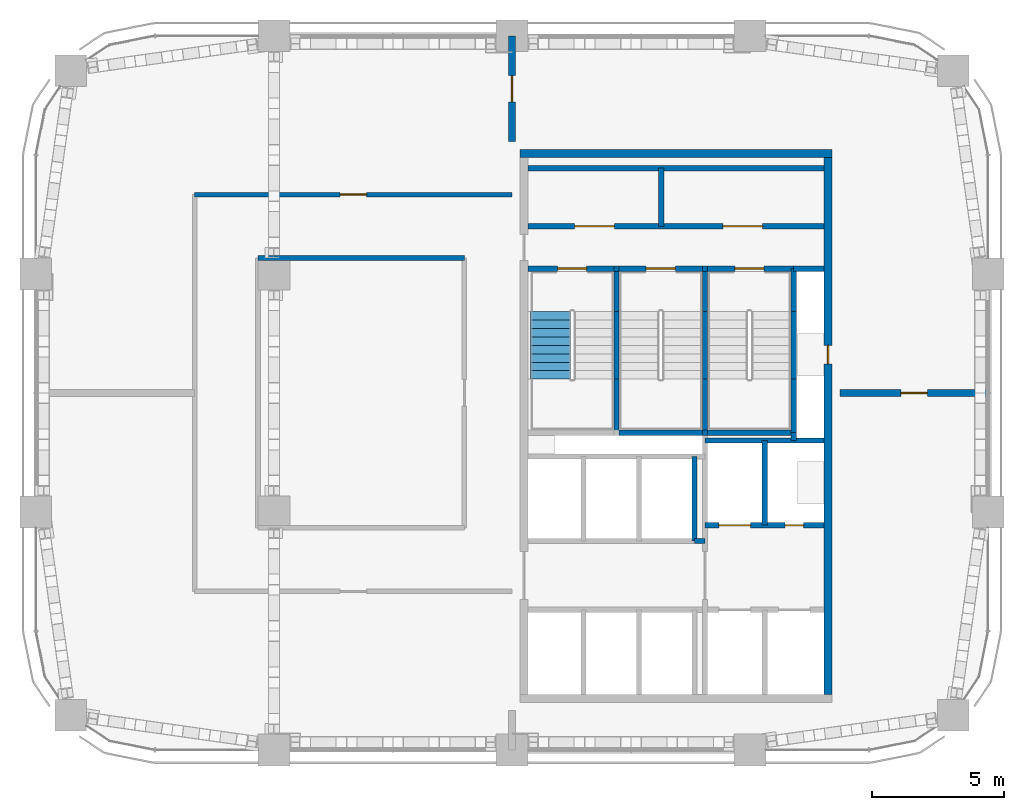
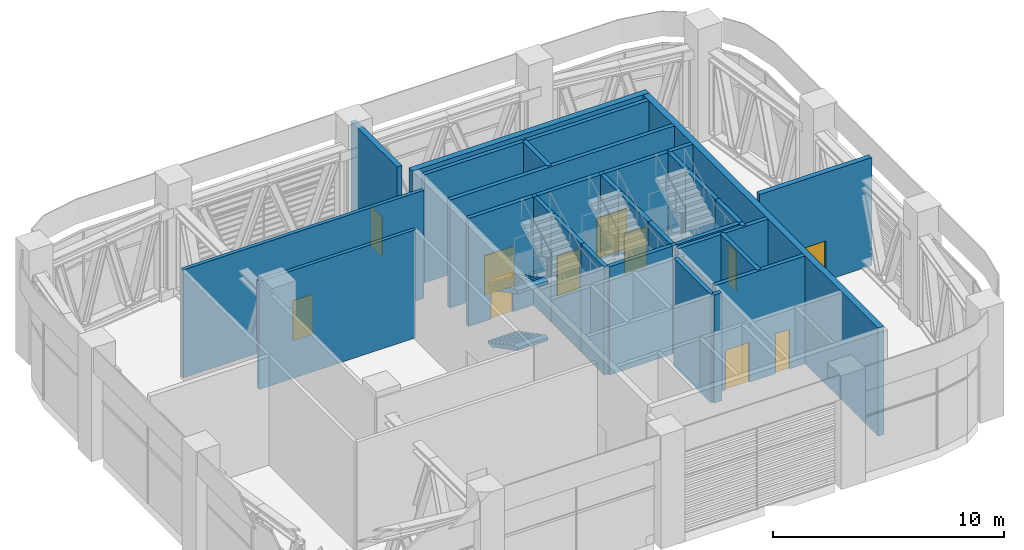
# One storey, part 10 of 14: 33 walls, 11 doors, 2 stair flights, 11 openings, 1 element without a shape of its own.
"""IFC4 building model written with IfcOpenShell, lengths in metres."""

from ifc_helpers import new_model, si_unit, direction, frame, frame_2d, origin, place, context, subcontext, project, spatial, polyline, rectangle, outline, extrude, material, layer, layer_set, type_object, element, fill, aggregate, save


model = new_model("IFC4")

# Units and contexts
model_context = context("Model", 3, precision=1e-05, world=origin(), true_north=direction((0.0, 1.0)))
body_context = subcontext(model_context, "Body", "Model", "MODEL_VIEW")
ifc_project = project(units=[si_unit("LENGTHUNIT", "METRE"), si_unit("AREAUNIT", "SQUARE_METRE"), si_unit("VOLUMEUNIT", "CUBIC_METRE"), si_unit("PLANEANGLEUNIT", "RADIAN"), si_unit("MASSUNIT", "GRAM", prefix="KILO")], contexts=[model_context])

# Site, building, storey
site_placement = place(None, origin())
site = spatial("IfcSite", under=ifc_project, at=site_placement, CompositionType="ELEMENT")
building_placement = place(site_placement, origin())
building = spatial("IfcBuilding", under=site, at=building_placement, Name="Tessera Arch", CompositionType="ELEMENT")
storey_placement = place(building_placement, frame((0.0, 0.0, 295.199951171875)))
storey = spatial("IfcBuildingStorey", under=building, at=storey_placement, Name="L71", CompositionType="ELEMENT", Elevation=295.199951171875)

# Walls
ifc_material_1 = material(Name="Gypsum board on steel stud", Category="steel")
ifc_layer_1 = layer(ifc_material_1, 0.125)
ifc_layer_set_1 = layer_set([ifc_layer_1], Name="Core partition 125 EI 60")
wall_type_1 = type_object("IfcWallType", Name="Core partition 125 EI 60", PredefinedType="PARTITIONING", material=ifc_layer_set_1)
wall_1_placement = place(storey_placement, frame((41.639892578125, 46.800048828125, 0.0), z_axis=(0.0, 0.0, 1.0), x_axis=(0.0, 1.0, 0.0)))
element("IfcWall", 1, at=wall_1_placement, inside=storey, type_object=wall_type_1, Name="L71 C1 partition wall 8", PredefinedType="PARTITIONING", context=body_context, shape_type="SweptSolid", body=[
    extrude(rectangle(XDim=2.199951171875, YDim=0.199951171875, at=frame_2d((1.10009765625, 0.0))), origin(), (0.0, 0.0, 1.0), 5.699951171875),
])
wall_2_placement = place(storey_placement, frame((42.89990234375, 34.89990234375, 0.0), z_axis=(0.0, 0.0, 1.0), x_axis=(1.0, 0.0, 0.0)))
element("IfcWall", 2, at=wall_2_placement, inside=storey, type_object=wall_type_1, Name="L71 C1 partition wall 22", PredefinedType="PARTITIONING", context=body_context, shape_type="SweptSolid", body=[
    extrude(rectangle(XDim=0.400146484375, YDim=0.199951171875, at=frame_2d((0.2001953125, 0.0))), origin(), (0.0, 0.0, 1.0), 5.699951171875),
])

# Wall, openings, doors
wall_3_placement = place(storey_placement, frame((36.60009765625, 46.800048828125, 0.0), z_axis=(0.0, 0.0, 1.0), x_axis=(1.0, 0.0, 0.0)))
wall_3 = element("IfcWall", 3, at=wall_3_placement, inside=storey, type_object=wall_type_1, Name="L71 C1 partition wall 38", PredefinedType="PARTITIONING", context=body_context, shape_type="SweptSolid", body=[
    extrude(rectangle(XDim=11.199951171875, YDim=0.199951171875, at=frame_2d((5.60009765625, 0.0))), origin(), (0.0, 0.0, 1.0), 5.699951171875),
])
opening_1_placement = place(wall_3_placement, frame((1.77001953125, 0.0, 0.0)))
opening_1 = element("IfcOpeningElement", 4, at=opening_1_placement, cuts=wall_3, Name="Opening L71-C12", PredefinedType="OPENING", context=body_context, shape_type="SweptSolid", body=[
    extrude(rectangle(XDim=1.5, YDim=2.10009765625, at=frame_2d((0.75, 1.050048828125))), frame((0.0, 0.10986328125, 0.0), z_axis=(0.0, -1.0, 0.0), x_axis=(1.0, 0.0, 0.0)), (0.0, 0.0, 1.0), 0.219970703125),
])
opening_2_placement = place(wall_3_placement, frame((7.3701171875, 0.0, 0.0)))
opening_2 = element("IfcOpeningElement", 5, at=opening_2_placement, cuts=wall_3, Name="Opening L71-C13", PredefinedType="OPENING", context=body_context, shape_type="SweptSolid", body=[
    extrude(rectangle(XDim=1.5, YDim=2.10009765625, at=frame_2d((0.75, 1.050048828125))), frame((0.0, 0.10986328125, 0.0), z_axis=(0.0, -1.0, 0.0), x_axis=(1.0, 0.0, 0.0)), (0.0, 0.0, 1.0), 0.219970703125),
])
ifc_material_2 = material(Name="Steel door leaf", Category="steel")
door_type_1 = type_object("IfcDoorType", Name="Plant door FD60 1500 x 2100", OperationType="DOUBLE_DOOR_SINGLE_SWING", PredefinedType="DOOR", material=ifc_material_2)
door_1_placement = place(opening_1_placement, origin())
door_1 = element("IfcDoor", 6, at=door_1_placement, inside=storey, type_object=door_type_1, Name="L71 C1 door 12 C12 type D08", OperationType="DOUBLE_DOOR_SINGLE_SWING", OverallHeight=2.10009765625, OverallWidth=1.5, PredefinedType="DOOR", context=body_context, shape_type="SweptSolid", body=[
    extrude(rectangle(XDim=1.5, YDim=2.10009765625, at=frame_2d((0.75, 1.050048828125))), frame((0.0, 0.02490234375, 0.0), z_axis=(0.0, -1.0, 0.0), x_axis=(1.0, 0.0, 0.0)), (0.0, 0.0, 1.0), 0.050048828125),
])
fill(opening_1, door_1)
door_2_placement = place(opening_2_placement, origin())
door_2 = element("IfcDoor", 7, at=door_2_placement, inside=storey, type_object=door_type_1, Name="L71 C1 door 13 C13 type D08", OperationType="DOUBLE_DOOR_SINGLE_SWING", OverallHeight=2.10009765625, OverallWidth=1.5, PredefinedType="DOOR", context=body_context, shape_type="SweptSolid", body=[
    extrude(rectangle(XDim=1.5, YDim=2.10009765625, at=frame_2d((0.75, 1.050048828125))), frame((0.0, 0.02490234375, 0.0), z_axis=(0.0, -1.0, 0.0), x_axis=(1.0, 0.0, 0.0)), (0.0, 0.0, 1.0), 0.050048828125),
])
fill(opening_2, door_2)

# Walls
wall_4_placement = place(storey_placement, frame((36.60009765625, 49.0, 0.0), z_axis=(0.0, 0.0, 1.0), x_axis=(1.0, 0.0, 0.0)))
element("IfcWall", 8, at=wall_4_placement, inside=storey, type_object=wall_type_1, Name="L71 C1 partition wall 39", PredefinedType="PARTITIONING", context=body_context, shape_type="SweptSolid", body=[
    extrude(rectangle(XDim=11.199951171875, YDim=0.199951171875, at=frame_2d((5.60009765625, 0.0))), origin(), (0.0, 0.0, 1.0), 5.699951171875),
])
ifc_material_3 = material(Name="Concrete C50/60", Category="concrete")
ifc_layer_2 = layer(ifc_material_3, 0.300048828125)
ifc_layer_set_2 = layer_set([ifc_layer_2], Name="Core shell wall 300 C50-60")
wall_type_2 = type_object("IfcWallType", Name="Core shell wall 300 C50-60", PredefinedType="SHEAR", material=ifc_layer_set_2)
wall_5_placement = place(storey_placement, frame((36.300048828125, 49.550048828125, 0.0), z_axis=(0.0, 0.0, 1.0), x_axis=(1.0, 0.0, 0.0)))
element("IfcWall", 9, at=wall_5_placement, inside=storey, type_object=wall_type_2, Name="L71 C1 core wall N", PredefinedType="SHEAR", context=body_context, shape_type="SweptSolid", body=[
    extrude(rectangle(XDim=11.800048828125, YDim=0.300048828125, at=frame_2d((5.89990234375, 0.0))), origin(), (0.0, 0.0, 1.0), 5.699951171875),
])

# Wall, opening, door
wall_6_placement = place(storey_placement, frame((47.949951171875, 29.10009765625, 0.0), z_axis=(0.0, 0.0, 1.0), x_axis=(0.0, 1.0, 0.0)))
wall_6 = element("IfcWall", 10, at=wall_6_placement, inside=storey, type_object=wall_type_2, Name="L71 C1 core wall E", PredefinedType="SHEAR", context=body_context, shape_type="SweptSolid", body=[
    extrude(rectangle(XDim=20.2998046875, YDim=0.300048828125, at=frame_2d((10.14990234375, 0.0))), origin(), (0.0, 0.0, 1.0), 5.699951171875),
])
opening_3_placement = place(wall_6_placement, frame((12.5, 0.0, 0.0)))
opening_3 = element("IfcOpeningElement", 11, at=opening_3_placement, cuts=wall_6, Name="Opening L71-C08", PredefinedType="OPENING", context=body_context, shape_type="SweptSolid", body=[
    extrude(rectangle(XDim=0.699951171875, YDim=2.10009765625, at=frame_2d((0.35009765625, 1.050048828125))), frame((0.0, 0.159912109375, 0.0), z_axis=(0.0, -1.0, 0.0), x_axis=(1.0, 0.0, 0.0)), (0.0, 0.0, 1.0), 0.320068359375),
])
ifc_material_4 = material(Name="Steel door leaf", Category="steel")
door_type_2 = type_object("IfcDoorType", Name="Service shaft door FD60 700 x 2100", OperationType="SINGLE_SWING_LEFT", PredefinedType="DOOR", material=ifc_material_4)
door_3_placement = place(opening_3_placement, origin())
door_3 = element("IfcDoor", 12, at=door_3_placement, inside=storey, type_object=door_type_2, Name="L71 C1 door 8 C08 type D07", OperationType="SINGLE_SWING_RIGHT", OverallHeight=2.10009765625, OverallWidth=0.699951171875, PredefinedType="DOOR", context=body_context, shape_type="SweptSolid", body=[
    extrude(rectangle(XDim=0.699951171875, YDim=2.10009765625, at=frame_2d((0.35009765625, 1.050048828125))), frame((0.0, 0.02490234375, 0.0), z_axis=(0.0, -1.0, 0.0), x_axis=(1.0, 0.0, 0.0)), (0.0, 0.0, 1.0), 0.050048828125),
])
fill(opening_3, door_3)

# Wall
ifc_material_5 = material(Name="Gypsum board on deep steel stud with mineral wool", Category="steel")
ifc_layer_3 = layer(ifc_material_5, 0.175048828125)
ifc_layer_set_3 = layer_set([ifc_layer_3], Name="Corridor wall 175 EI 60")
wall_type_3 = type_object("IfcWallType", Name="Corridor wall 175 EI 60", PredefinedType="PARTITIONING", material=ifc_layer_set_3)
wall_7_placement = place(storey_placement, frame((26.39990234375, 45.60009765625, 0.0), z_axis=(0.0, 0.0, 1.0), x_axis=(1.0, 0.0, 0.0)))
element("IfcWall", 13, at=wall_7_placement, inside=storey, type_object=wall_type_3, Name="L71 partition 3", PredefinedType="PARTITIONING", context=body_context, shape_type="SweptSolid", body=[
    extrude(rectangle(XDim=7.800048828125, YDim=0.175048828125, at=frame_2d((3.89990234375, 0.0))), origin(), (0.0, 0.0, 1.0), 5.699951171875),
])

# Wall, opening, door
wall_8_placement = place(storey_placement, frame((24.0, 48.0, 0.0), z_axis=(0.0, 0.0, 1.0), x_axis=(1.0, 0.0, 0.0)))
wall_8 = element("IfcWall", 14, at=wall_8_placement, inside=storey, type_object=wall_type_3, Name="L71 partition 4", PredefinedType="PARTITIONING", context=body_context, shape_type="SweptSolid", body=[
    extrude(rectangle(XDim=12.0, YDim=0.175048828125, at=frame_2d((6.0, 0.0))), origin(), (0.0, 0.0, 1.0), 5.699951171875),
])
opening_4_placement = place(wall_8_placement, frame((5.5, 0.0, 0.0)))
opening_4 = element("IfcOpeningElement", 15, at=opening_4_placement, cuts=wall_8, Name="Opening L71-D002", PredefinedType="OPENING", context=body_context, shape_type="SweptSolid", body=[
    extrude(rectangle(XDim=1.0, YDim=2.10009765625, at=frame_2d((0.5, 1.050048828125))), frame((0.0, 0.097412109375, 0.0), z_axis=(0.0, -1.0, 0.0), x_axis=(1.0, 0.0, 0.0)), (0.0, 0.0, 1.0), 0.195068359375),
])
ifc_material_6 = material(Name="Fire-rated door leaf")
door_type_3 = type_object("IfcDoorType", Name="Entrance door FD60 1000 x 2100", OperationType="SINGLE_SWING_LEFT", PredefinedType="DOOR", material=ifc_material_6)
door_4_placement = place(opening_4_placement, origin())
door_4 = element("IfcDoor", 16, at=door_4_placement, inside=storey, type_object=door_type_3, Name="L71 door D002 type D16", OperationType="SINGLE_SWING_RIGHT", OverallHeight=2.10009765625, OverallWidth=1.0, PredefinedType="DOOR", context=body_context, shape_type="SweptSolid", body=[
    extrude(rectangle(XDim=1.0, YDim=2.10009765625, at=frame_2d((0.5, 1.050048828125))), frame((0.0, 0.02490234375, 0.0), z_axis=(0.0, -1.0, 0.0), x_axis=(1.0, 0.0, 0.0)), (0.0, 0.0, 1.0), 0.050048828125),
])
fill(opening_4, door_4)

ifc_material_7 = material(Name="Double gypsum board on twin steel stud with acoustic mineral wool", Category="steel")
ifc_layer_4 = layer(ifc_material_7, 0.25)
ifc_layer_set_4 = layer_set([ifc_layer_4], Name="Party wall 250 EI 60")
wall_type_4 = type_object("IfcWallType", Name="Party wall 250 EI 60", PredefinedType="PARTITIONING", material=ifc_layer_set_4)
wall_9_placement = place(storey_placement, frame((48.39990234375, 40.5, 0.0), z_axis=(0.0, 0.0, 1.0), x_axis=(1.0, 0.0, 0.0)))
wall_9 = element("IfcWall", 17, at=wall_9_placement, inside=storey, type_object=wall_type_4, Name="L71 partition 9", PredefinedType="PARTITIONING", context=body_context, shape_type="SweptSolid", body=[
    extrude(rectangle(XDim=5.60009765625, YDim=0.25, at=frame_2d((2.800048828125, 0.0))), origin(), (0.0, 0.0, 1.0), 5.699951171875),
])
opening_5_placement = place(wall_9_placement, frame((2.300048828125, 0.0, 0.0)))
opening_5 = element("IfcOpeningElement", 18, at=opening_5_placement, cuts=wall_9, Name="Opening L71-D005", PredefinedType="OPENING", context=body_context, shape_type="SweptSolid", body=[
    extrude(rectangle(XDim=1.0, YDim=2.10009765625, at=frame_2d((0.5, 1.050048828125))), frame((0.0, 0.135009765625, 0.0), z_axis=(0.0, -1.0, 0.0), x_axis=(1.0, 0.0, 0.0)), (0.0, 0.0, 1.0), 0.27001953125),
])
door_5_placement = place(opening_5_placement, origin())
door_5 = element("IfcDoor", 19, at=door_5_placement, inside=storey, type_object=door_type_3, Name="L71 door D005 type D16", OperationType="SINGLE_SWING_LEFT", OverallHeight=2.10009765625, OverallWidth=1.0, PredefinedType="DOOR", context=body_context, shape_type="SweptSolid", body=[
    extrude(rectangle(XDim=1.0, YDim=2.10009765625, at=frame_2d((0.5, 1.050048828125))), frame((0.0, 0.02490234375, 0.0), z_axis=(0.0, -1.0, 0.0), x_axis=(1.0, 0.0, 0.0)), (0.0, 0.0, 1.0), 0.050048828125),
])
fill(opening_5, door_5)

wall_10_placement = place(storey_placement, frame((36.0, 50.0, 0.0), z_axis=(0.0, 0.0, 1.0), x_axis=(0.0, 1.0, 0.0)))
wall_10 = element("IfcWall", 20, at=wall_10_placement, inside=storey, type_object=wall_type_4, Name="L71 partition 11", PredefinedType="PARTITIONING", context=body_context, shape_type="SweptSolid", body=[
    extrude(rectangle(XDim=4.0, YDim=0.25, at=frame_2d((2.0, 0.0))), origin(), (0.0, 0.0, 1.0), 5.699951171875),
])
opening_6_placement = place(wall_10_placement, frame((1.5, 0.0, 0.0)))
opening_6 = element("IfcOpeningElement", 21, at=opening_6_placement, cuts=wall_10, Name="Opening L71-D004", PredefinedType="OPENING", context=body_context, shape_type="SweptSolid", body=[
    extrude(rectangle(XDim=1.0, YDim=2.10009765625, at=frame_2d((0.5, 1.050048828125))), frame((0.0, 0.135009765625, 0.0), z_axis=(0.0, -1.0, 0.0), x_axis=(1.0, 0.0, 0.0)), (0.0, 0.0, 1.0), 0.27001953125),
])
door_6_placement = place(opening_6_placement, origin())
door_6 = element("IfcDoor", 22, at=door_6_placement, inside=storey, type_object=door_type_3, Name="L71 door D004 type D16", OperationType="SINGLE_SWING_LEFT", OverallHeight=2.10009765625, OverallWidth=1.0, PredefinedType="DOOR", context=body_context, shape_type="SweptSolid", body=[
    extrude(rectangle(XDim=1.0, YDim=2.10009765625, at=frame_2d((0.5, 1.050048828125))), frame((0.0, 0.02490234375, 0.0), z_axis=(0.0, -1.0, 0.0), x_axis=(1.0, 0.0, 0.0)), (0.0, 0.0, 1.0), 0.050048828125),
])
fill(opening_6, door_6)

# Walls
ifc_material_8 = material(Name="Concrete C40/50", Category="concrete")
ifc_layer_5 = layer(ifc_material_8, 0.199951171875)
ifc_layer_set_5 = layer_set([ifc_layer_5], Name="Shaft wall 200 EI 120")
wall_type_5 = type_object("IfcWallType", Name="Shaft wall 200 EI 120", PredefinedType="SOLIDWALL", material=ifc_layer_set_5)
wall_11_placement = place(storey_placement, frame((42.89990234375, 34.89990234375, 0.0), z_axis=(0.0, 0.0, 1.0), x_axis=(0.0, 1.0, 0.0)))
element("IfcWall", 23, at=wall_11_placement, inside=storey, type_object=wall_type_5, Name="L71 C1 shaft wall 10", PredefinedType="SOLIDWALL", context=body_context, shape_type="SweptSolid", body=[
    extrude(rectangle(XDim=3.2001953125, YDim=0.199951171875, at=frame_2d((1.60009765625, 0.0))), origin(), (0.0, 0.0, 1.0), 5.699951171875),
])
wall_12_placement = place(storey_placement, frame((45.550048828125, 35.5, 0.0), z_axis=(0.0, 0.0, 1.0), x_axis=(0.0, 1.0, 0.0)))
element("IfcWall", 24, at=wall_12_placement, inside=storey, type_object=wall_type_5, Name="L71 C1 shaft wall 16", PredefinedType="SOLIDWALL", context=body_context, shape_type="SweptSolid", body=[
    extrude(rectangle(XDim=3.199951171875, YDim=0.199951171875, at=frame_2d((1.60009765625, 0.0))), origin(), (0.0, 0.0, 1.0), 5.699951171875),
])
wall_13_placement = place(storey_placement, frame((46.64990234375, 38.699951171875, 0.0), z_axis=(0.0, 0.0, 1.0), x_axis=(0.0, 1.0, 0.0)))
element("IfcWall", 25, at=wall_13_placement, inside=storey, type_object=wall_type_5, Name="L71 C1 shaft wall 17", PredefinedType="SOLIDWALL", context=body_context, shape_type="SweptSolid", body=[
    extrude(rectangle(XDim=0.300048828125, YDim=0.199951171875, at=frame_2d((0.14990234375, 0.0))), origin(), (0.0, 0.0, 1.0), 5.699951171875),
])

# Wall, openings, doors
wall_14_placement = place(storey_placement, frame((43.300048828125, 35.5, 0.0), z_axis=(0.0, 0.0, 1.0), x_axis=(1.0, 0.0, 0.0)))
wall_14 = element("IfcWall", 26, at=wall_14_placement, inside=storey, type_object=wall_type_5, Name="L71 C1 shaft wall 24", PredefinedType="SOLIDWALL", context=body_context, shape_type="SweptSolid", body=[
    extrude(rectangle(XDim=4.5, YDim=0.199951171875, at=frame_2d((2.25, 0.0))), origin(), (0.0, 0.0, 1.0), 5.699951171875),
])
opening_7_placement = place(wall_14_placement, frame((0.52490234375, 0.0, 0.0)))
opening_7 = element("IfcOpeningElement", 27, at=opening_7_placement, cuts=wall_14, Name="Opening L71-C03", PredefinedType="OPENING", context=body_context, shape_type="SweptSolid", body=[
    extrude(rectangle(XDim=1.199951171875, YDim=2.10009765625, at=frame_2d((0.60009765625, 1.050048828125))), frame((0.0, 0.10986328125, 0.0), z_axis=(0.0, -1.0, 0.0), x_axis=(1.0, 0.0, 0.0)), (0.0, 0.0, 1.0), 0.219970703125),
])
opening_8_placement = place(wall_14_placement, frame((3.02490234375, 0.0, 0.0)))
opening_8 = element("IfcOpeningElement", 28, at=opening_8_placement, cuts=wall_14, Name="Opening L71-C10", PredefinedType="OPENING", context=body_context, shape_type="SweptSolid", body=[
    extrude(rectangle(XDim=0.699951171875, YDim=2.10009765625, at=frame_2d((0.35009765625, 1.050048828125))), frame((0.0, 0.10986328125, 0.0), z_axis=(0.0, -1.0, 0.0), x_axis=(1.0, 0.0, 0.0)), (0.0, 0.0, 1.0), 0.219970703125),
])
door_7_placement = place(opening_8_placement, origin())
door_7 = element("IfcDoor", 29, at=door_7_placement, inside=storey, type_object=door_type_2, Name="L71 C1 door 10 C10 type D07", OperationType="SINGLE_SWING_RIGHT", OverallHeight=2.10009765625, OverallWidth=0.699951171875, PredefinedType="DOOR", context=body_context, shape_type="SweptSolid", body=[
    extrude(rectangle(XDim=0.699951171875, YDim=2.10009765625, at=frame_2d((0.35009765625, 1.050048828125))), frame((0.0, 0.02490234375, 0.0), z_axis=(0.0, -1.0, 0.0), x_axis=(1.0, 0.0, 0.0)), (0.0, 0.0, 1.0), 0.050048828125),
])
fill(opening_8, door_7)
ifc_material_9 = material(Name="Stainless steel AISI 304", Category="steel")
door_type_4 = type_object("IfcDoorType", Name="Sliding landing door 1200 x 2100", OperationType="SLIDING_TO_LEFT", PredefinedType="DOOR", material=ifc_material_9)
door_8_placement = place(opening_7_placement, origin())
door_8 = element("IfcDoor", 30, at=door_8_placement, inside=storey, type_object=door_type_4, Name="L71 SV2 lift landing door C03 type LD", OperationType="SLIDING_TO_LEFT", OverallHeight=2.10009765625, OverallWidth=1.199951171875, PredefinedType="DOOR", context=body_context, shape_type="SweptSolid", body=[
    extrude(rectangle(XDim=1.199951171875, YDim=2.10009765625, at=frame_2d((0.60009765625, 1.050048828125))), frame((0.0, 0.02490234375, 0.0), z_axis=(0.0, -1.0, 0.0), x_axis=(1.0, 0.0, 0.0)), (0.0, 0.0, 1.0), 0.050048828125),
])
fill(opening_7, door_8)

# Walls
wall_15_placement = place(storey_placement, frame((43.300048828125, 38.699951171875, 0.0), z_axis=(0.0, 0.0, 1.0), x_axis=(1.0, 0.0, 0.0)))
element("IfcWall", 31, at=wall_15_placement, inside=storey, type_object=wall_type_5, Name="L71 C1 shaft wall 26", PredefinedType="SOLIDWALL", context=body_context, shape_type="SweptSolid", body=[
    extrude(rectangle(XDim=4.5, YDim=0.199951171875, at=frame_2d((2.25, 0.0))), origin(), (0.0, 0.0, 1.0), 5.699951171875),
])
wall_16_placement = place(storey_placement, frame((46.64990234375, 45.199951171875, 0.0), z_axis=(0.0, 0.0, 1.0), x_axis=(1.0, 0.0, 0.0)))
element("IfcWall", 32, at=wall_16_placement, inside=storey, type_object=wall_type_5, Name="L71 C1 shaft wall 32", PredefinedType="SOLIDWALL", context=body_context, shape_type="SweptSolid", body=[
    extrude(rectangle(XDim=1.150146484375, YDim=0.199951171875, at=frame_2d((0.5751953125, 0.0))), origin(), (0.0, 0.0, 1.0), 5.699951171875),
])
ifc_material_10 = material(Name="Concrete C40/50", Category="concrete")
ifc_layer_6 = layer(ifc_material_10, 0.199951171875)
ifc_layer_set_6 = layer_set([ifc_layer_6], Name="Stair well wall 200 REI 180")
wall_type_6 = type_object("IfcWallType", Name="Stair well wall 200 REI 180", PredefinedType="SOLIDWALL", material=ifc_layer_set_6)
wall_17_placement = place(storey_placement, frame((39.949951171875, 39.0, 0.0), z_axis=(0.0, 0.0, 1.0), x_axis=(0.0, 1.0, 0.0)))
element("IfcWall", 33, at=wall_17_placement, inside=storey, type_object=wall_type_6, Name="L71 C1 shaft wall 3", PredefinedType="SOLIDWALL", context=body_context, shape_type="SweptSolid", body=[
    extrude(rectangle(XDim=2.02001953125, YDim=0.199951171875, at=frame_2d((1.010009765625, 0.0))), origin(), (0.0, 0.0, 1.0), 5.699951171875),
])
wall_18_placement = place(storey_placement, frame((39.949951171875, 41.02001953125, 0.0), z_axis=(0.0, 0.0, 1.0), x_axis=(0.0, 1.0, 0.0)))
element("IfcWall", 34, at=wall_18_placement, inside=storey, type_object=wall_type_6, Name="L71 C1 shaft wall 4", PredefinedType="SOLIDWALL", context=body_context, shape_type="SweptSolid", body=[
    extrude(rectangle(XDim=2.56005859375, YDim=0.199951171875, at=frame_2d((1.280029296875, 0.0))), origin(), (0.0, 0.0, 1.0), 5.699951171875),
])
wall_19_placement = place(storey_placement, frame((39.949951171875, 43.580078125, 0.0), z_axis=(0.0, 0.0, 1.0), x_axis=(0.0, 1.0, 0.0)))
element("IfcWall", 35, at=wall_19_placement, inside=storey, type_object=wall_type_6, Name="L71 C1 shaft wall 5", PredefinedType="SOLIDWALL", context=body_context, shape_type="SweptSolid", body=[
    extrude(rectangle(XDim=1.619873046875, YDim=0.199951171875, at=frame_2d((0.81005859375, 0.0))), origin(), (0.0, 0.0, 1.0), 5.699951171875),
])
wall_20_placement = place(storey_placement, frame((43.300048828125, 39.0, 0.0), z_axis=(0.0, 0.0, 1.0), x_axis=(0.0, 1.0, 0.0)))
element("IfcWall", 36, at=wall_20_placement, inside=storey, type_object=wall_type_6, Name="L71 C1 shaft wall 12", PredefinedType="SOLIDWALL", context=body_context, shape_type="SweptSolid", body=[
    extrude(rectangle(XDim=2.02001953125, YDim=0.199951171875, at=frame_2d((1.010009765625, 0.0))), origin(), (0.0, 0.0, 1.0), 5.699951171875),
])
wall_21_placement = place(storey_placement, frame((43.300048828125, 41.02001953125, 0.0), z_axis=(0.0, 0.0, 1.0), x_axis=(0.0, 1.0, 0.0)))
element("IfcWall", 37, at=wall_21_placement, inside=storey, type_object=wall_type_6, Name="L71 C1 shaft wall 13", PredefinedType="SOLIDWALL", context=body_context, shape_type="SweptSolid", body=[
    extrude(rectangle(XDim=2.56005859375, YDim=0.199951171875, at=frame_2d((1.280029296875, 0.0))), origin(), (0.0, 0.0, 1.0), 5.699951171875),
])
wall_22_placement = place(storey_placement, frame((43.300048828125, 43.580078125, 0.0), z_axis=(0.0, 0.0, 1.0), x_axis=(0.0, 1.0, 0.0)))
element("IfcWall", 38, at=wall_22_placement, inside=storey, type_object=wall_type_6, Name="L71 C1 shaft wall 14", PredefinedType="SOLIDWALL", context=body_context, shape_type="SweptSolid", body=[
    extrude(rectangle(XDim=1.619873046875, YDim=0.199951171875, at=frame_2d((0.81005859375, 0.0))), origin(), (0.0, 0.0, 1.0), 5.699951171875),
])
wall_23_placement = place(storey_placement, frame((46.64990234375, 39.0, 0.0), z_axis=(0.0, 0.0, 1.0), x_axis=(0.0, 1.0, 0.0)))
element("IfcWall", 39, at=wall_23_placement, inside=storey, type_object=wall_type_6, Name="L71 C1 shaft wall 18", PredefinedType="SOLIDWALL", context=body_context, shape_type="SweptSolid", body=[
    extrude(rectangle(XDim=2.02001953125, YDim=0.199951171875, at=frame_2d((1.010009765625, 0.0))), origin(), (0.0, 0.0, 1.0), 5.699951171875),
])
wall_24_placement = place(storey_placement, frame((46.64990234375, 41.02001953125, 0.0), z_axis=(0.0, 0.0, 1.0), x_axis=(0.0, 1.0, 0.0)))
element("IfcWall", 40, at=wall_24_placement, inside=storey, type_object=wall_type_6, Name="L71 C1 shaft wall 19", PredefinedType="SOLIDWALL", context=body_context, shape_type="SweptSolid", body=[
    extrude(rectangle(XDim=2.56005859375, YDim=0.199951171875, at=frame_2d((1.280029296875, 0.0))), origin(), (0.0, 0.0, 1.0), 5.699951171875),
])
wall_25_placement = place(storey_placement, frame((46.64990234375, 43.580078125, 0.0), z_axis=(0.0, 0.0, 1.0), x_axis=(0.0, 1.0, 0.0)))
element("IfcWall", 41, at=wall_25_placement, inside=storey, type_object=wall_type_6, Name="L71 C1 shaft wall 20", PredefinedType="SOLIDWALL", context=body_context, shape_type="SweptSolid", body=[
    extrude(rectangle(XDim=1.619873046875, YDim=0.199951171875, at=frame_2d((0.81005859375, 0.0))), origin(), (0.0, 0.0, 1.0), 5.699951171875),
])
wall_26_placement = place(storey_placement, frame((40.050048828125, 39.0, 0.0), z_axis=(0.0, 0.0, 1.0), x_axis=(1.0, 0.0, 0.0)))
element("IfcWall", 42, at=wall_26_placement, inside=storey, type_object=wall_type_6, Name="L71 C1 shaft wall 29", PredefinedType="SOLIDWALL", context=body_context, shape_type="SweptSolid", body=[
    extrude(rectangle(XDim=3.14990234375, YDim=0.199951171875, at=frame_2d((1.574951171875, 0.0))), origin(), (0.0, 0.0, 1.0), 5.699951171875),
])
wall_27_placement = place(storey_placement, frame((43.199951171875, 39.0, 0.0), z_axis=(0.0, 0.0, 1.0), x_axis=(1.0, 0.0, 0.0)))
element("IfcWall", 43, at=wall_27_placement, inside=storey, type_object=wall_type_6, Name="L71 C1 shaft wall 30", PredefinedType="SOLIDWALL", context=body_context, shape_type="SweptSolid", body=[
    extrude(rectangle(XDim=0.199951171875, YDim=0.199951171875, at=frame_2d((0.10009765625, 0.0))), origin(), (0.0, 0.0, 1.0), 5.699951171875),
])
wall_28_placement = place(storey_placement, frame((43.39990234375, 39.0, 0.0), z_axis=(0.0, 0.0, 1.0), x_axis=(1.0, 0.0, 0.0)))
element("IfcWall", 44, at=wall_28_placement, inside=storey, type_object=wall_type_6, Name="L71 C1 shaft wall 31", PredefinedType="SOLIDWALL", context=body_context, shape_type="SweptSolid", body=[
    extrude(rectangle(XDim=3.25, YDim=0.199951171875, at=frame_2d((1.625, 0.0))), origin(), (0.0, 0.0, 1.0), 5.699951171875),
])

# Wall, opening, door
wall_29_placement = place(storey_placement, frame((36.60009765625, 45.199951171875, 0.0), z_axis=(0.0, 0.0, 1.0), x_axis=(1.0, 0.0, 0.0)))
wall_29 = element("IfcWall", 45, at=wall_29_placement, inside=storey, type_object=wall_type_6, Name="L71 C1 shaft wall 33", PredefinedType="SOLIDWALL", context=body_context, shape_type="SweptSolid", body=[
    extrude(rectangle(XDim=3.25, YDim=0.199951171875, at=frame_2d((1.625, 0.0))), origin(), (0.0, 0.0, 1.0), 5.699951171875),
])
opening_9_placement = place(wall_29_placement, frame((1.125, 0.0, 0.0)))
opening_9 = element("IfcOpeningElement", 46, at=opening_9_placement, cuts=wall_29, Name="Opening L71-C05", PredefinedType="OPENING", context=body_context, shape_type="SweptSolid", body=[
    extrude(rectangle(XDim=1.10009765625, YDim=2.10009765625, at=frame_2d((0.550048828125, 1.050048828125))), frame((0.0, 0.10986328125, 0.0), z_axis=(0.0, -1.0, 0.0), x_axis=(1.0, 0.0, 0.0)), (0.0, 0.0, 1.0), 0.219970703125),
])
ifc_material_11 = material(Name="Steel door leaf", Category="steel")
door_type_5 = type_object("IfcDoorType", Name="Stair door FD60 1100 x 2100", OperationType="SINGLE_SWING_LEFT", PredefinedType="DOOR", material=ifc_material_11)
door_9_placement = place(opening_9_placement, origin())
door_9 = element("IfcDoor", 47, at=door_9_placement, inside=storey, type_object=door_type_5, Name="L71 C1 door 5 C05 type D05", OperationType="SINGLE_SWING_RIGHT", OverallHeight=2.10009765625, OverallWidth=1.10009765625, PredefinedType="DOOR", context=body_context, shape_type="SweptSolid", body=[
    extrude(rectangle(XDim=1.10009765625, YDim=2.10009765625, at=frame_2d((0.550048828125, 1.050048828125))), frame((0.0, 0.02490234375, 0.0), z_axis=(0.0, -1.0, 0.0), x_axis=(1.0, 0.0, 0.0)), (0.0, 0.0, 1.0), 0.050048828125),
])
fill(opening_9, door_9)

# Wall
wall_30_placement = place(storey_placement, frame((39.85009765625, 45.199951171875, 0.0), z_axis=(0.0, 0.0, 1.0), x_axis=(1.0, 0.0, 0.0)))
element("IfcWall", 48, at=wall_30_placement, inside=storey, type_object=wall_type_6, Name="L71 C1 shaft wall 34", PredefinedType="SOLIDWALL", context=body_context, shape_type="SweptSolid", body=[
    extrude(rectangle(XDim=0.199951171875, YDim=0.199951171875, at=frame_2d((0.10009765625, 0.0))), origin(), (0.0, 0.0, 1.0), 5.699951171875),
])

# Wall, opening, door
wall_31_placement = place(storey_placement, frame((40.050048828125, 45.199951171875, 0.0), z_axis=(0.0, 0.0, 1.0), x_axis=(1.0, 0.0, 0.0)))
wall_31 = element("IfcWall", 49, at=wall_31_placement, inside=storey, type_object=wall_type_6, Name="L71 C1 shaft wall 35", PredefinedType="SOLIDWALL", context=body_context, shape_type="SweptSolid", body=[
    extrude(rectangle(XDim=3.14990234375, YDim=0.199951171875, at=frame_2d((1.574951171875, 0.0))), origin(), (0.0, 0.0, 1.0), 5.699951171875),
])
opening_10_placement = place(wall_31_placement, frame((1.02490234375, 0.0, 0.0)))
opening_10 = element("IfcOpeningElement", 50, at=opening_10_placement, cuts=wall_31, Name="Opening L71-C06", PredefinedType="OPENING", context=body_context, shape_type="SweptSolid", body=[
    extrude(rectangle(XDim=1.10009765625, YDim=2.10009765625, at=frame_2d((0.550048828125, 1.050048828125))), frame((0.0, 0.10986328125, 0.0), z_axis=(0.0, -1.0, 0.0), x_axis=(1.0, 0.0, 0.0)), (0.0, 0.0, 1.0), 0.219970703125),
])
door_10_placement = place(opening_10_placement, origin())
door_10 = element("IfcDoor", 51, at=door_10_placement, inside=storey, type_object=door_type_5, Name="L71 C1 door 6 C06 type D05", OperationType="SINGLE_SWING_LEFT", OverallHeight=2.10009765625, OverallWidth=1.10009765625, PredefinedType="DOOR", context=body_context, shape_type="SweptSolid", body=[
    extrude(rectangle(XDim=1.10009765625, YDim=2.10009765625, at=frame_2d((0.550048828125, 1.050048828125))), frame((0.0, 0.02490234375, 0.0), z_axis=(0.0, -1.0, 0.0), x_axis=(1.0, 0.0, 0.0)), (0.0, 0.0, 1.0), 0.050048828125),
])
fill(opening_10, door_10)

# Wall
wall_32_placement = place(storey_placement, frame((43.199951171875, 45.199951171875, 0.0), z_axis=(0.0, 0.0, 1.0), x_axis=(1.0, 0.0, 0.0)))
element("IfcWall", 52, at=wall_32_placement, inside=storey, type_object=wall_type_6, Name="L71 C1 shaft wall 36", PredefinedType="SOLIDWALL", context=body_context, shape_type="SweptSolid", body=[
    extrude(rectangle(XDim=0.199951171875, YDim=0.199951171875, at=frame_2d((0.10009765625, 0.0))), origin(), (0.0, 0.0, 1.0), 5.699951171875),
])

# Wall, opening, door
wall_33_placement = place(storey_placement, frame((43.39990234375, 45.199951171875, 0.0), z_axis=(0.0, 0.0, 1.0), x_axis=(1.0, 0.0, 0.0)))
wall_33 = element("IfcWall", 53, at=wall_33_placement, inside=storey, type_object=wall_type_6, Name="L71 C1 shaft wall 37", PredefinedType="SOLIDWALL", context=body_context, shape_type="SweptSolid", body=[
    extrude(rectangle(XDim=3.25, YDim=0.199951171875, at=frame_2d((1.625, 0.0))), origin(), (0.0, 0.0, 1.0), 5.699951171875),
])
opening_11_placement = place(wall_33_placement, frame((1.02490234375, 0.0, 0.0)))
opening_11 = element("IfcOpeningElement", 54, at=opening_11_placement, cuts=wall_33, Name="Opening L71-C07", PredefinedType="OPENING", context=body_context, shape_type="SweptSolid", body=[
    extrude(rectangle(XDim=1.10009765625, YDim=2.10009765625, at=frame_2d((0.550048828125, 1.050048828125))), frame((0.0, 0.10986328125, 0.0), z_axis=(0.0, -1.0, 0.0), x_axis=(1.0, 0.0, 0.0)), (0.0, 0.0, 1.0), 0.219970703125),
])
door_11_placement = place(opening_11_placement, origin())
door_11 = element("IfcDoor", 55, at=door_11_placement, inside=storey, type_object=door_type_5, Name="L71 C1 door 7 C07 type D05", OperationType="SINGLE_SWING_LEFT", OverallHeight=2.10009765625, OverallWidth=1.10009765625, PredefinedType="DOOR", context=body_context, shape_type="SweptSolid", body=[
    extrude(rectangle(XDim=1.10009765625, YDim=2.10009765625, at=frame_2d((0.550048828125, 1.050048828125))), frame((0.0, 0.02490234375, 0.0), z_axis=(0.0, -1.0, 0.0), x_axis=(1.0, 0.0, 0.0)), (0.0, 0.0, 1.0), 0.050048828125),
])
fill(opening_11, door_11)

# Stair, stair flights
ifc_material_12 = material(Name="Concrete C40/50", Category="concrete")
stair_type = type_object("IfcStairType", Name="Dogleg stair 1520", PredefinedType="HALF_TURN_STAIR", material=ifc_material_12)
stair_placement = place(storey_placement, origin())
stair = element("IfcStair", 56, at=stair_placement, inside=storey, type_object=stair_type, Name="L71 S1a", PredefinedType="HALF_TURN_STAIR")
ifc_material_13 = material(Name="Concrete C40/50", Category="concrete")
stair_flight_type = type_object("IfcStairFlightType", Name="Stair flight 1520", PredefinedType="STRAIGHT", material=ifc_material_13)
stair_flight_1_placement = place(storey_placement, frame((37.4599609375, 43.580078125, 0.0), z_axis=(0.0, 0.0, 1.0), x_axis=(0.0, -1.0, 0.0)))
stair_flight_1 = element("IfcStairFlight", 57, at=stair_flight_1_placement, type_object=stair_flight_type, Name="S1a flight 1", NumberOfRisers=9, NumberOfTreads=8, PredefinedType="STRAIGHT", RiserHeight=0.166666667, TreadLength=0.32, context=body_context, shape_type="SweptSolid", body=[
    extrude(outline(polyline([(0.0, 0.0), (0.0, 0.166748046875), (0.320068359375, 0.166748046875), (0.320068359375, 0.333251953125), (0.639892578125, 0.333251953125), (0.639892578125, 0.5), (0.9599609375, 0.5), (0.9599609375, 0.666748046875), (1.280029296875, 0.666748046875), (1.280029296875, 0.833251953125), (1.60009765625, 0.833251953125), (1.60009765625, 1.0), (1.919921875, 1.0), (1.919921875, 1.166748046875), (2.239990234375, 1.166748046875), (2.239990234375, 1.333251953125), (2.56005859375, 1.333251953125), (2.56005859375, 1.5), (2.56005859375, 1.164306640625), (0.324462890625, 0.0), (0.0, 0.0)])), frame((0.0, 0.760009765625, 0.0), z_axis=(0.0, -1.0, 0.0), x_axis=(1.0, 0.0, 0.0)), (0.0, 0.0, 1.0), 1.52001953125),
])
stair_flight_2_placement = place(storey_placement, frame((37.4599609375, 43.580078125, 3.0), z_axis=(0.0, 0.0, 1.0), x_axis=(0.0, -1.0, 0.0)))
stair_flight_2 = element("IfcStairFlight", 58, at=stair_flight_2_placement, type_object=stair_flight_type, Name="S1a flight 3", NumberOfRisers=9, NumberOfTreads=8, PredefinedType="STRAIGHT", RiserHeight=0.166666667, TreadLength=0.32, context=body_context, shape_type="SweptSolid", body=[
    extrude(outline(polyline([(0.0, 0.0), (0.0, 0.166748046875), (0.320068359375, 0.166748046875), (0.320068359375, 0.333251953125), (0.639892578125, 0.333251953125), (0.639892578125, 0.5), (0.9599609375, 0.5), (0.9599609375, 0.666748046875), (1.280029296875, 0.666748046875), (1.280029296875, 0.833251953125), (1.60009765625, 0.833251953125), (1.60009765625, 1.0), (1.919921875, 1.0), (1.919921875, 1.166748046875), (2.239990234375, 1.166748046875), (2.239990234375, 1.333251953125), (2.56005859375, 1.333251953125), (2.56005859375, 1.5), (2.56005859375, 1.164306640625), (0.324462890625, 0.0), (0.0, 0.0)])), frame((0.0, 0.760009765625, 0.0), z_axis=(0.0, -1.0, 0.0), x_axis=(1.0, 0.0, 0.0)), (0.0, 0.0, 1.0), 1.52001953125),
])
aggregate(stair, [stair_flight_1, stair_flight_2])

save(model, "model.ifc")
